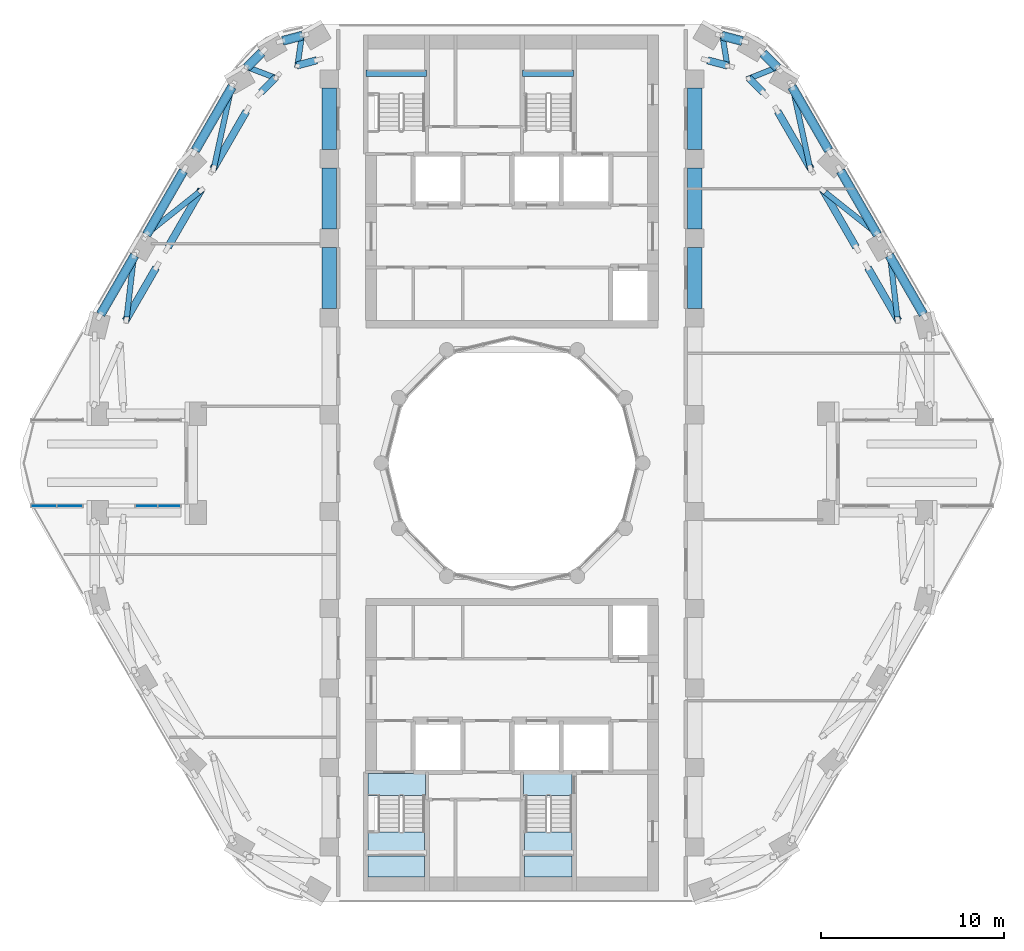
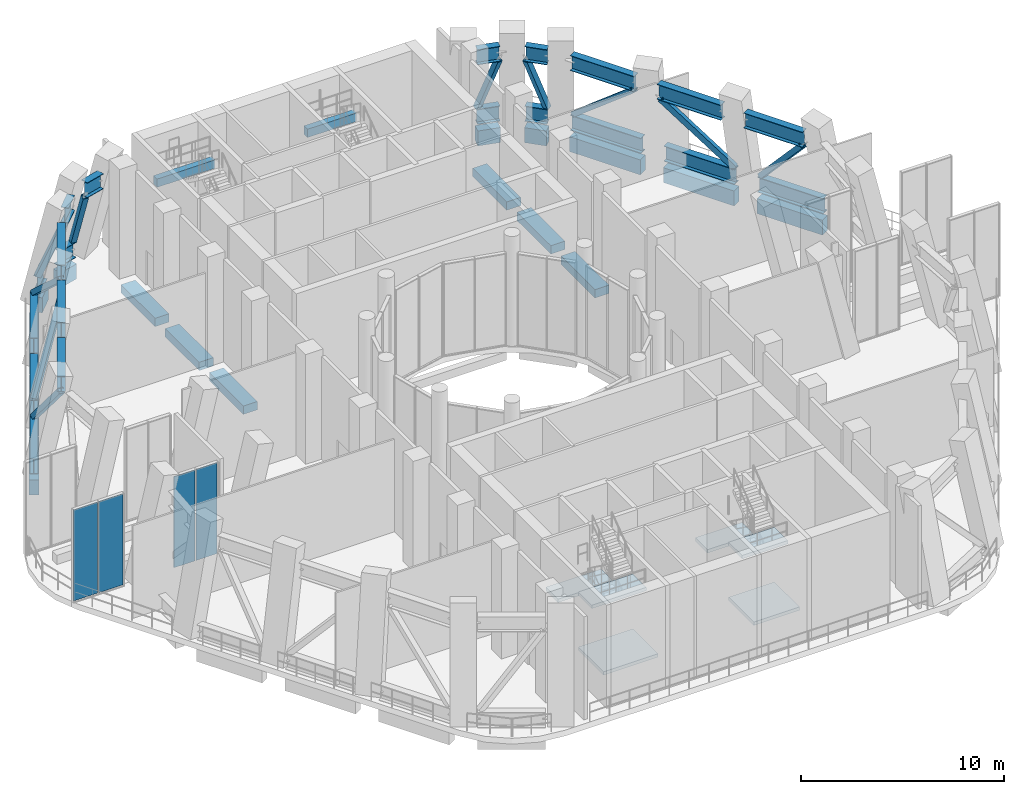
# One storey, part 6 of 19: 30 members, 18 beams, 6 slabs, 4 plates, 4 elements without a shape of their own.
"""IFC4 building model written with IfcOpenShell, lengths in metres."""

from ifc_helpers import new_model, si_unit, direction, frame, origin, origin_2d, place, context, subcontext, project, spatial, polyline, rectangle, hollow_rectangle, i_section, outline, extrude, material, layer, layer_set, material_profile, profile_set, type_object, element, aggregate, save


model = new_model("IFC4")

# Units and contexts
model_context = context("Model", 3, precision=1e-05, world=origin(), true_north=direction((0.0, 1.0)))
body_context = subcontext(model_context, "Body", "Model", "MODEL_VIEW")
ifc_project = project(units=[si_unit("LENGTHUNIT", "METRE"), si_unit("AREAUNIT", "SQUARE_METRE"), si_unit("VOLUMEUNIT", "CUBIC_METRE"), si_unit("PLANEANGLEUNIT", "RADIAN"), si_unit("MASSUNIT", "GRAM", prefix="KILO")], contexts=[model_context])

# Site, building, storey
site_placement = place(None, origin())
site = spatial("IfcSite", under=ifc_project, at=site_placement, CompositionType="ELEMENT")
building_placement = place(site_placement, origin())
building = spatial("IfcBuilding", under=site, at=building_placement, Name="Nakaniwa Court", CompositionType="ELEMENT")
storey_placement = place(building_placement, frame((0.0, 0.0, 170.10009765625)))
storey = spatial("IfcBuildingStorey", under=building, at=storey_placement, Name="S3", CompositionType="ELEMENT", Elevation=170.10009765625)

# Members
ifc_material_1 = material(Name="Steel Grade 350", Category="steel")
ifc_material_profile_1 = material_profile(ifc_material_1, i_section(OverallWidth=0.39990234375, OverallDepth=0.916015625, WebThickness=0.011962890625, FlangeThickness=0.028076171875, at=origin_2d()), Name="900WB257")
ifc_profile_set_1 = profile_set([ifc_material_profile_1], Name="Steel Grade 350")
member_type_1 = type_object("IfcMemberType", Name="BELT chord 900 WB257", PredefinedType="CHORD", material=ifc_profile_set_1)
member_1_placement = place(storey_placement, frame((68.5419921875, 103.38134765625, 0.4580078125), z_axis=(-0.966321172043, -0.257339061284, 0.0), x_axis=(0.257339061284, -0.966321172043, 0.0)))
element("IfcMember", 1, at=member_1_placement, inside=storey, type_object=member_type_1, Name="BELT CHORD BT-01-B", PredefinedType="CHORD", context=body_context, shape_type="SweptSolid", body=[
    extrude(i_section(OverallWidth=0.39990234375, OverallDepth=0.916015625, WebThickness=0.011962890625, FlangeThickness=0.028076171875, at=origin_2d()), origin(), (0.0, 0.0, 1.0), 1.126953125),
])
member_2_placement = place(storey_placement, frame((69.3212890625, 102.03125, 5.1318359375), z_axis=(-0.966360692331, -0.257190614753, 0.0), x_axis=(0.257190614753, -0.966360692331, 0.0)))
element("IfcMember", 2, at=member_2_placement, inside=storey, type_object=member_type_1, Name="BELT CHORD BT-01-T", PredefinedType="CHORD", context=body_context, shape_type="SweptSolid", body=[
    extrude(i_section(OverallWidth=0.39990234375, OverallDepth=0.916015625, WebThickness=0.011962890625, FlangeThickness=0.028076171875, at=origin_2d()), origin(), (0.0, 0.0, 1.0), 1.126708984375),
])
for number, where, z_axis, x_axis, name in (
    (3, (66.309814453125, 102.44580078125, 0.4580078125), (-0.706051557188, -0.708160432807, 0.0), (0.708160432807, -0.706051557188, 0.0), "BELT CHORD BT-02-B"),
    (4, (67.089111328125, 101.095703125, 5.1318359375), (-0.706051557188, -0.708160432807, 0.0), (0.708160432807, -0.706051557188, 0.0), "BELT CHORD BT-02-T"),
):
    element("IfcMember", number, at=place(storey_placement, frame(where, z_axis=z_axis, x_axis=x_axis)), inside=storey, type_object=member_type_1, Name=name, PredefinedType="CHORD", context=body_context, shape_type="SweptSolid", body=[
        extrude(i_section(OverallWidth=0.39990234375, OverallDepth=0.916015625, WebThickness=0.011962890625, FlangeThickness=0.028076171875, at=origin_2d()), origin(), (0.0, 0.0, 1.0), 1.15771484375),
    ])
member_3_placement = place(storey_placement, frame((64.6923828125, 100.586669921875, 0.4580078125), z_axis=(-0.499993669216, -0.866029058833, 0.0), x_axis=(0.866029058833, -0.499993669216, 0.0)))
element("IfcMember", 5, at=member_3_placement, inside=storey, type_object=member_type_1, Name="BELT CHORD BT-03-B", PredefinedType="CHORD", context=body_context, shape_type="SweptSolid", body=[
    extrude(i_section(OverallWidth=0.39990234375, OverallDepth=0.916015625, WebThickness=0.011962890625, FlangeThickness=0.028076171875, at=origin_2d()), origin(), (0.0, 0.0, 1.0), 4.02587890625),
])
member_4_placement = place(storey_placement, frame((65.471923828125, 99.236572265625, 5.1318359375), z_axis=(-0.499987858329, -0.866032413668, 0.0), x_axis=(0.866032413668, -0.499987858329, 0.0)))
element("IfcMember", 6, at=member_4_placement, inside=storey, type_object=member_type_1, Name="BELT CHORD BT-03-T", PredefinedType="CHORD", context=body_context, shape_type="SweptSolid", body=[
    extrude(i_section(OverallWidth=0.39990234375, OverallDepth=0.916015625, WebThickness=0.011962890625, FlangeThickness=0.028076171875, at=origin_2d()), origin(), (0.0, 0.0, 1.0), 3.63623046875),
])
member_5_placement = place(storey_placement, frame((62.029541015625, 95.97412109375, 0.4580078125), z_axis=(-0.499993669216, -0.866029058833, 0.0), x_axis=(0.866029058833, -0.499993669216, 0.0)))
element("IfcMember", 7, at=member_5_placement, inside=storey, type_object=member_type_1, Name="BELT CHORD BT-04-B", PredefinedType="CHORD", context=body_context, shape_type="SweptSolid", body=[
    extrude(i_section(OverallWidth=0.39990234375, OverallDepth=0.916015625, WebThickness=0.011962890625, FlangeThickness=0.028076171875, at=origin_2d()), origin(), (0.0, 0.0, 1.0), 4.02587890625),
])
member_6_placement = place(storey_placement, frame((63.00390625, 94.961669921875, 5.1318359375), z_axis=(-0.499987858329, -0.866032413668, 0.0), x_axis=(0.866032413668, -0.499987858329, 0.0)))
element("IfcMember", 8, at=member_6_placement, inside=storey, type_object=member_type_1, Name="BELT CHORD BT-04-T", PredefinedType="CHORD", context=body_context, shape_type="SweptSolid", body=[
    extrude(i_section(OverallWidth=0.39990234375, OverallDepth=0.916015625, WebThickness=0.011962890625, FlangeThickness=0.028076171875, at=origin_2d()), origin(), (0.0, 0.0, 1.0), 3.63623046875),
])
member_7_placement = place(storey_placement, frame((59.36669921875, 91.36181640625, 0.4580078125), z_axis=(-0.50001905207, -0.866014403787, 0.0), x_axis=(0.866014403787, -0.50001905207, 0.0)))
element("IfcMember", 9, at=member_7_placement, inside=storey, type_object=member_type_1, Name="BELT CHORD BT-05-B", PredefinedType="CHORD", context=body_context, shape_type="SweptSolid", body=[
    extrude(i_section(OverallWidth=0.39990234375, OverallDepth=0.916015625, WebThickness=0.011962890625, FlangeThickness=0.028076171875, at=origin_2d()), origin(), (0.0, 0.0, 1.0), 3.728759765625),
])
member_8_placement = place(storey_placement, frame((60.53564453125, 90.686767578125, 5.1318359375), z_axis=(-0.499992509511, -0.866029728377, 0.0), x_axis=(0.866029728377, -0.499992509511, 0.0)))
element("IfcMember", 10, at=member_8_placement, inside=storey, type_object=member_type_1, Name="BELT CHORD BT-05-T", PredefinedType="CHORD", context=body_context, shape_type="SweptSolid", body=[
    extrude(i_section(OverallWidth=0.39990234375, OverallDepth=0.916015625, WebThickness=0.011962890625, FlangeThickness=0.028076171875, at=origin_2d()), origin(), (0.0, 0.0, 1.0), 3.3388671875),
])
member_9_placement = place(storey_placement, frame((102.497802734375, 88.132568359375, 0.4580078125), z_axis=(-0.50001905207, 0.866014403787, 0.0), x_axis=(-0.866014403787, -0.50001905207, 0.0)))
element("IfcMember", 11, at=member_9_placement, inside=storey, type_object=member_type_1, Name="BELT CHORD BT-18-B", PredefinedType="CHORD", context=body_context, shape_type="SweptSolid", body=[
    extrude(i_section(OverallWidth=0.39990234375, OverallDepth=0.916015625, WebThickness=0.011962890625, FlangeThickness=0.028076171875, at=origin_2d()), origin(), (0.0, 0.0, 1.0), 3.728759765625),
])
member_10_placement = place(storey_placement, frame((101.1337890625, 87.795166015625, 5.1318359375), z_axis=(-0.499992509511, 0.866029728377, 0.0), x_axis=(-0.866029728377, -0.499992509511, 0.0)))
element("IfcMember", 12, at=member_10_placement, inside=storey, type_object=member_type_1, Name="BELT CHORD BT-18-T", PredefinedType="CHORD", context=body_context, shape_type="SweptSolid", body=[
    extrude(i_section(OverallWidth=0.39990234375, OverallDepth=0.916015625, WebThickness=0.011962890625, FlangeThickness=0.028076171875, at=origin_2d()), origin(), (0.0, 0.0, 1.0), 3.3388671875),
])
member_11_placement = place(storey_placement, frame((99.9833984375, 92.487548828125, 0.4580078125), z_axis=(-0.499993669216, 0.866029058833, 0.0), x_axis=(-0.866029058833, -0.499993669216, 0.0)))
element("IfcMember", 13, at=member_11_placement, inside=storey, type_object=member_type_1, Name="BELT CHORD BT-19-B", PredefinedType="CHORD", context=body_context, shape_type="SweptSolid", body=[
    extrude(i_section(OverallWidth=0.39990234375, OverallDepth=0.916015625, WebThickness=0.011962890625, FlangeThickness=0.028076171875, at=origin_2d()), origin(), (0.0, 0.0, 1.0), 4.02587890625),
])
member_12_placement = place(storey_placement, frame((98.814208984375, 91.8125, 5.1318359375), z_axis=(-0.499987858329, 0.866032413668, 0.0), x_axis=(-0.866032413668, -0.499987858329, 0.0)))
element("IfcMember", 14, at=member_12_placement, inside=storey, type_object=member_type_1, Name="BELT CHORD BT-19-T", PredefinedType="CHORD", context=body_context, shape_type="SweptSolid", body=[
    extrude(i_section(OverallWidth=0.39990234375, OverallDepth=0.916015625, WebThickness=0.011962890625, FlangeThickness=0.028076171875, at=origin_2d()), origin(), (0.0, 0.0, 1.0), 3.63623046875),
])
member_13_placement = place(storey_placement, frame((97.320556640625, 97.10009765625, 0.4580078125), z_axis=(-0.500018573463, 0.866014680125, 0.0), x_axis=(-0.866014680125, -0.500018573463, 0.0)))
element("IfcMember", 15, at=member_13_placement, inside=storey, type_object=member_type_1, Name="BELT CHORD BT-20-B", PredefinedType="CHORD", context=body_context, shape_type="SweptSolid", body=[
    extrude(i_section(OverallWidth=0.39990234375, OverallDepth=0.916015625, WebThickness=0.011962890625, FlangeThickness=0.028076171875, at=origin_2d()), origin(), (0.0, 0.0, 1.0), 4.020263671875),
])
member_14_placement = place(storey_placement, frame((96.34619140625, 96.08740234375, 5.1318359375), z_axis=(-0.499964992784, 0.866045614266, 0.0), x_axis=(-0.866045614266, -0.499964992784, 0.0)))
element("IfcMember", 16, at=member_14_placement, inside=storey, type_object=member_type_1, Name="BELT CHORD BT-20-T", PredefinedType="CHORD", context=body_context, shape_type="SweptSolid", body=[
    extrude(i_section(OverallWidth=0.39990234375, OverallDepth=0.916015625, WebThickness=0.011962890625, FlangeThickness=0.028076171875, at=origin_2d()), origin(), (0.0, 0.0, 1.0), 3.630615234375),
])
for number, where, z_axis, x_axis, name in (
    (17, (94.519775390625, 101.61376953125, 0.4580078125), (-0.706022429805, 0.708189472254, 0.0), (-0.708189472254, -0.706022429805, 0.0), "BELT CHORD BT-21-B"),
    (18, (93.740234375, 100.263671875, 5.1318359375), (-0.706022429805, 0.708189472254, 0.0), (-0.708189472254, -0.706022429805, 0.0), "BELT CHORD BT-21-T"),
):
    element("IfcMember", number, at=place(storey_placement, frame(where, z_axis=z_axis, x_axis=x_axis)), inside=storey, type_object=member_type_1, Name=name, PredefinedType="CHORD", context=body_context, shape_type="SweptSolid", body=[
        extrude(i_section(OverallWidth=0.39990234375, OverallDepth=0.916015625, WebThickness=0.011962890625, FlangeThickness=0.028076171875, at=origin_2d()), origin(), (0.0, 0.0, 1.0), 1.126708984375),
    ])
for number, where, z_axis, x_axis, name in (
    (19, (92.593505859375, 103.078857421875, 0.4580078125), (-0.966294404875, 0.257439552335, 0.0), (-0.257439552335, -0.966294404875, 0.0), "BELT CHORD BT-22-B"),
    (20, (91.814208984375, 101.72900390625, 5.1318359375), (-0.966346837526, 0.257242666764, 0.0), (-0.257242666764, -0.966346837526, 0.0), "BELT CHORD BT-22-T"),
):
    element("IfcMember", number, at=place(storey_placement, frame(where, z_axis=z_axis, x_axis=x_axis)), inside=storey, type_object=member_type_1, Name=name, PredefinedType="CHORD", context=body_context, shape_type="SweptSolid", body=[
        extrude(i_section(OverallWidth=0.39990234375, OverallDepth=0.916015625, WebThickness=0.011962890625, FlangeThickness=0.028076171875, at=origin_2d()), origin(), (0.0, 0.0, 1.0), 1.157958984375),
    ])
ifc_material_profile_2 = material_profile(ifc_material_1, hollow_rectangle(XDim=0.300048828125, YDim=0.300048828125, WallThickness=0.010009765625, at=origin_2d()), Name="BELT diagonal 300x300x10 SHS")
ifc_profile_set_2 = profile_set([ifc_material_profile_2], Name="Steel Grade 350")
member_type_2 = type_object("IfcMemberType", Name="BELT diagonal 300x300x10 SHS", PredefinedType="BRACE", material=ifc_profile_set_2)
member_15_placement = place(storey_placement, frame((68.503173828125, 103.37109375, 0.916015625), z_axis=(-0.056649835595, -0.39511920032, 0.916881461076), x_axis=(0.989877733725, -0.141922768698, 0.0)))
element("IfcMember", 21, at=member_15_placement, inside=storey, type_object=member_type_2, Name="BELT DIAGONAL BT-01-D", PredefinedType="BRACE", context=body_context, shape_type="SweptSolid", body=[
    extrude(hollow_rectangle(XDim=0.300048828125, YDim=0.300048828125, WallThickness=0.010009765625, at=origin_2d()), origin(), (0.0, 0.0, 1.0), 4.098388671875),
])
member_16_placement = place(storey_placement, frame((67.060791015625, 101.0673828125, 4.673828125), z_axis=(-0.375365279236, 0.14303029502, -0.915774667618), x_axis=(-0.356069237491, -0.93445957543, 0.0)))
element("IfcMember", 22, at=member_16_placement, inside=storey, type_object=member_type_2, Name="BELT DIAGONAL BT-02-D", PredefinedType="BRACE", context=body_context, shape_type="SweptSolid", body=[
    extrude(hollow_rectangle(XDim=0.300048828125, YDim=0.300048828125, WallThickness=0.010009765625, at=origin_2d()), origin(), (0.0, 0.0, 1.0), 4.103515625),
])
member_17_placement = place(storey_placement, frame((64.642578125, 100.5, 0.916015625), z_axis=(-0.161665876058, -0.745008493594, 0.647168053129), x_axis=(0.977255938562, -0.212063270149, 0.0)))
element("IfcMember", 23, at=member_17_placement, inside=storey, type_object=member_type_2, Name="BELT DIAGONAL BT-03-D", PredefinedType="BRACE", context=body_context, shape_type="SweptSolid", body=[
    extrude(hollow_rectangle(XDim=0.300048828125, YDim=0.300048828125, WallThickness=0.010009765625, at=origin_2d()), origin(), (0.0, 0.0, 1.0), 5.806640625),
])
member_18_placement = place(storey_placement, frame((62.953857421875, 94.875, 4.673828125), z_axis=(-0.548076081022, -0.436755368472, -0.713342384499), x_axis=(0.623210024771, -0.78205451538, 0.0)))
element("IfcMember", 24, at=member_18_placement, inside=storey, type_object=member_type_2, Name="BELT DIAGONAL BT-04-D", PredefinedType="BRACE", context=body_context, shape_type="SweptSolid", body=[
    extrude(hollow_rectangle(XDim=0.300048828125, YDim=0.300048828125, WallThickness=0.010009765625, at=origin_2d()), origin(), (0.0, 0.0, 1.0), 5.267822265625),
])
for number, where, z_axis, x_axis, name in (
    (25, (59.316650390625, 91.275146484375, 0.916015625), (-0.078878138729, -0.668132924029, 0.739849062349), (0.993103217199, -0.117243336649, 0.0), "BELT DIAGONAL BT-05-D"),
    (26, (101.083984375, 87.881591796875, 4.673828125), (-0.078878138729, 0.668132924029, -0.739849062349), (-0.993103217199, -0.117243336649, 0.0), "BELT DIAGONAL BT-18-D"),
):
    element("IfcMember", number, at=place(storey_placement, frame(where, z_axis=z_axis, x_axis=x_axis)), inside=storey, type_object=member_type_2, Name=name, PredefinedType="BRACE", context=body_context, shape_type="SweptSolid", body=[
        extrude(hollow_rectangle(XDim=0.300048828125, YDim=0.300048828125, WallThickness=0.010009765625, at=origin_2d()), origin(), (0.0, 0.0, 1.0), 5.0791015625),
    ])
member_19_placement = place(storey_placement, frame((99.933349609375, 92.57421875, 0.916015625), z_axis=(-0.548076081022, 0.436755368472, 0.713342384499), x_axis=(-0.623210024771, -0.78205451538, 0.0)))
element("IfcMember", 27, at=member_19_placement, inside=storey, type_object=member_type_2, Name="BELT DIAGONAL BT-19-D", PredefinedType="BRACE", context=body_context, shape_type="SweptSolid", body=[
    extrude(hollow_rectangle(XDim=0.300048828125, YDim=0.300048828125, WallThickness=0.010009765625, at=origin_2d()), origin(), (0.0, 0.0, 1.0), 5.267822265625),
])
member_20_placement = place(storey_placement, frame((96.296142578125, 96.174072265625, 4.673828125), z_axis=(-0.16127548225, 0.744694693541, -0.647626460421), x_axis=(-0.977343515281, -0.2116592855, 0.0)))
element("IfcMember", 28, at=member_20_placement, inside=storey, type_object=member_type_2, Name="BELT DIAGONAL BT-20-D", PredefinedType="BRACE", context=body_context, shape_type="SweptSolid", body=[
    extrude(hollow_rectangle(XDim=0.300048828125, YDim=0.300048828125, WallThickness=0.010009765625, at=origin_2d()), origin(), (0.0, 0.0, 1.0), 5.802490234375),
])
member_21_placement = place(storey_placement, frame((94.491455078125, 101.64208984375, 0.916015625), z_axis=(-0.370461105225, -0.148565685228, 0.916889746201), x_axis=(0.372213944169, -0.92814696022, 0.0)))
element("IfcMember", 29, at=member_21_placement, inside=storey, type_object=member_type_2, Name="BELT DIAGONAL BT-21-D", PredefinedType="BRACE", context=body_context, shape_type="SweptSolid", body=[
    extrude(hollow_rectangle(XDim=0.300048828125, YDim=0.300048828125, WallThickness=0.010009765625, at=origin_2d()), origin(), (0.0, 0.0, 1.0), 4.098388671875),
])
member_22_placement = place(storey_placement, frame((91.775634765625, 101.7392578125, 4.673828125), z_axis=(-0.063898841295, 0.396601188148, -0.915764399636), x_axis=(-0.987268143911, -0.159064804464, 0.0)))
element("IfcMember", 30, at=member_22_placement, inside=storey, type_object=member_type_2, Name="BELT DIAGONAL BT-22-D", PredefinedType="BRACE", context=body_context, shape_type="SweptSolid", body=[
    extrude(hollow_rectangle(XDim=0.300048828125, YDim=0.300048828125, WallThickness=0.010009765625, at=origin_2d()), origin(), (0.0, 0.0, 1.0), 4.103515625),
])

# Beams
ifc_material_2 = material(Name="Concrete C80/100", Category="concrete")
ifc_material_profile_3 = material_profile(ifc_material_2, rectangle(XDim=0.35009765625, YDim=0.5, at=origin_2d()), Name="Concrete C80/100 RC 350x500 landing ledge beam")
ifc_profile_set_3 = profile_set([ifc_material_profile_3], Name="Concrete C80/100")
beam_type_1 = type_object("IfcBeamType", Name="Concrete C80/100 RC 350x500 landing ledge beam", PredefinedType="BEAM", material=ifc_profile_set_3)
beam_1_placement = place(storey_placement, frame((72.02490234375, 101.324951171875, 4.5), z_axis=(1.0, 0.0, 0.0), x_axis=(0.0, 1.0, 0.0)))
element("IfcBeam", 31, at=beam_1_placement, inside=storey, type_object=beam_type_1, Name="LANDING LEDGE BEAM", PredefinedType="BEAM", context=body_context, shape_type="SweptSolid", body=[
    extrude(rectangle(XDim=0.35009765625, YDim=0.5, at=origin_2d()), origin(), (0.0, 0.0, 1.0), 3.300048828125),
])
beam_2_placement = place(storey_placement, frame((80.574951171875, 101.324951171875, 4.5), z_axis=(1.0, 0.0, 0.0), x_axis=(0.0, 1.0, 0.0)))
element("IfcBeam", 32, at=beam_2_placement, inside=storey, type_object=beam_type_1, Name="LANDING LEDGE BEAM", PredefinedType="BEAM", context=body_context, shape_type="SweptSolid", body=[
    extrude(rectangle(XDim=0.35009765625, YDim=0.5, at=origin_2d()), origin(), (0.0, 0.0, 1.0), 2.800048828125),
])
ifc_material_profile_4 = material_profile(ifc_material_2, rectangle(XDim=0.5, YDim=0.89990234375, at=origin_2d()), Name="Concrete C80/100 RC 500x900 spandrel beam")
ifc_profile_set_4 = profile_set([ifc_material_profile_4], Name="Concrete C80/100")
beam_type_2 = type_object("IfcBeamType", Name="Concrete C80/100 RC 500x900 spandrel beam", PredefinedType="BEAM", material=ifc_profile_set_4)
beam_3_placement = place(storey_placement, frame((68.5419921875, 103.38134765625, -0.800048828125), z_axis=(-0.966321172043, -0.257339061284, 0.0), x_axis=(0.257339061284, -0.966321172043, 0.0)))
element("IfcBeam", 33, at=beam_3_placement, inside=storey, type_object=beam_type_2, Name="SPANDREL BEAM", PredefinedType="BEAM", context=body_context, shape_type="SweptSolid", body=[
    extrude(rectangle(XDim=0.5, YDim=0.89990234375, at=origin_2d()), origin(), (0.0, 0.0, 1.0), 1.126953125),
])
beam_4_placement = place(storey_placement, frame((66.309814453125, 102.44580078125, -0.800048828125), z_axis=(-0.706051557188, -0.708160432807, 0.0), x_axis=(0.708160432807, -0.706051557188, 0.0)))
element("IfcBeam", 34, at=beam_4_placement, inside=storey, type_object=beam_type_2, Name="SPANDREL BEAM", PredefinedType="BEAM", context=body_context, shape_type="SweptSolid", body=[
    extrude(rectangle(XDim=0.5, YDim=0.89990234375, at=origin_2d()), origin(), (0.0, 0.0, 1.0), 1.15771484375),
])
for number, where, z_axis, x_axis, name in (
    (35, (64.6923828125, 100.586669921875, -0.800048828125), (-0.499993669216, -0.866029058833, 0.0), (0.866029058833, -0.499993669216, 0.0), "SPANDREL BEAM"),
    (36, (62.029541015625, 95.97412109375, -0.800048828125), (-0.499993669216, -0.866029058833, 0.0), (0.866029058833, -0.499993669216, 0.0), "SPANDREL BEAM"),
):
    element("IfcBeam", number, at=place(storey_placement, frame(where, z_axis=z_axis, x_axis=x_axis)), inside=storey, type_object=beam_type_2, Name=name, PredefinedType="BEAM", context=body_context, shape_type="SweptSolid", body=[
        extrude(rectangle(XDim=0.5, YDim=0.89990234375, at=origin_2d()), origin(), (0.0, 0.0, 1.0), 4.02587890625),
    ])
for number, where, z_axis, x_axis, name in (
    (37, (59.36669921875, 91.36181640625, -0.800048828125), (-0.50001905207, -0.866014403787, 0.0), (0.866014403787, -0.50001905207, 0.0), "SPANDREL BEAM"),
    (38, (102.497802734375, 88.132568359375, -0.800048828125), (-0.50001905207, 0.866014403787, 0.0), (-0.866014403787, -0.50001905207, 0.0), "SPANDREL BEAM"),
):
    element("IfcBeam", number, at=place(storey_placement, frame(where, z_axis=z_axis, x_axis=x_axis)), inside=storey, type_object=beam_type_2, Name=name, PredefinedType="BEAM", context=body_context, shape_type="SweptSolid", body=[
        extrude(rectangle(XDim=0.5, YDim=0.89990234375, at=origin_2d()), origin(), (0.0, 0.0, 1.0), 3.728759765625),
    ])
beam_5_placement = place(storey_placement, frame((99.9833984375, 92.487548828125, -0.800048828125), z_axis=(-0.499993669216, 0.866029058833, 0.0), x_axis=(-0.866029058833, -0.499993669216, 0.0)))
element("IfcBeam", 39, at=beam_5_placement, inside=storey, type_object=beam_type_2, Name="SPANDREL BEAM", PredefinedType="BEAM", context=body_context, shape_type="SweptSolid", body=[
    extrude(rectangle(XDim=0.5, YDim=0.89990234375, at=origin_2d()), origin(), (0.0, 0.0, 1.0), 4.02587890625),
])
beam_6_placement = place(storey_placement, frame((97.320556640625, 97.10009765625, -0.800048828125), z_axis=(-0.500018573463, 0.866014680125, 0.0), x_axis=(-0.866014680125, -0.500018573463, 0.0)))
element("IfcBeam", 40, at=beam_6_placement, inside=storey, type_object=beam_type_2, Name="SPANDREL BEAM", PredefinedType="BEAM", context=body_context, shape_type="SweptSolid", body=[
    extrude(rectangle(XDim=0.5, YDim=0.89990234375, at=origin_2d()), origin(), (0.0, 0.0, 1.0), 4.020263671875),
])
beam_7_placement = place(storey_placement, frame((94.519775390625, 101.61376953125, -0.800048828125), z_axis=(-0.706022429805, 0.708189472254, 0.0), x_axis=(-0.708189472254, -0.706022429805, 0.0)))
element("IfcBeam", 41, at=beam_7_placement, inside=storey, type_object=beam_type_2, Name="SPANDREL BEAM", PredefinedType="BEAM", context=body_context, shape_type="SweptSolid", body=[
    extrude(rectangle(XDim=0.5, YDim=0.89990234375, at=origin_2d()), origin(), (0.0, 0.0, 1.0), 1.126708984375),
])
beam_8_placement = place(storey_placement, frame((92.593505859375, 103.078857421875, -0.800048828125), z_axis=(-0.966294404875, 0.257439552335, 0.0), x_axis=(-0.257439552335, -0.966294404875, 0.0)))
element("IfcBeam", 42, at=beam_8_placement, inside=storey, type_object=beam_type_2, Name="SPANDREL BEAM", PredefinedType="BEAM", context=body_context, shape_type="SweptSolid", body=[
    extrude(rectangle(XDim=0.5, YDim=0.89990234375, at=origin_2d()), origin(), (0.0, 0.0, 1.0), 1.157958984375),
])
ifc_material_profile_5 = material_profile(ifc_material_2, rectangle(XDim=0.800048828125, YDim=0.5, at=origin_2d()), Name="Concrete C80/100 RC 800x500 ring beam")
ifc_profile_set_5 = profile_set([ifc_material_profile_5], Name="Concrete C80/100")
beam_type_3 = type_object("IfcBeamType", Name="Concrete C80/100 RC 800x500 ring beam", PredefinedType="BEAM", material=ifc_profile_set_5)
beam_9_placement = place(storey_placement, frame((90.0, 88.449951171875, -0.60009765625), z_axis=(0.0, 1.0, 0.0), x_axis=(-1.0, 0.0, 0.0)))
element("IfcBeam", 43, at=beam_9_placement, inside=storey, type_object=beam_type_3, Name="RING BEAM", PredefinedType="BEAM", context=body_context, shape_type="SweptSolid", body=[
    extrude(rectangle(XDim=0.800048828125, YDim=0.5, at=origin_2d()), origin(), (0.0, 0.0, 1.0), 3.35009765625),
])
beam_10_placement = place(storey_placement, frame((90.0, 92.800048828125, -0.60009765625), z_axis=(0.0, 1.0, 0.0), x_axis=(-1.0, 0.0, 0.0)))
element("IfcBeam", 44, at=beam_10_placement, inside=storey, type_object=beam_type_3, Name="RING BEAM", PredefinedType="BEAM", context=body_context, shape_type="SweptSolid", body=[
    extrude(rectangle(XDim=0.800048828125, YDim=0.5, at=origin_2d()), origin(), (0.0, 0.0, 1.0), 3.349853515625),
])
for number, where, z_axis, x_axis, name in (
    (45, (90.0, 97.14990234375, -0.60009765625), (0.0, 1.0, 0.0), (-1.0, 0.0, 0.0), "RING BEAM"),
    (46, (70.0, 100.5, -0.60009765625), (0.0, -1.0, 0.0), (1.0, 0.0, 0.0), "RING BEAM"),
):
    element("IfcBeam", number, at=place(storey_placement, frame(where, z_axis=z_axis, x_axis=x_axis)), inside=storey, type_object=beam_type_3, Name=name, PredefinedType="BEAM", context=body_context, shape_type="SweptSolid", body=[
        extrude(rectangle(XDim=0.800048828125, YDim=0.5, at=origin_2d()), origin(), (0.0, 0.0, 1.0), 3.35009765625),
    ])
beam_11_placement = place(storey_placement, frame((70.0, 96.14990234375, -0.60009765625), z_axis=(0.0, -1.0, 0.0), x_axis=(1.0, 0.0, 0.0)))
element("IfcBeam", 47, at=beam_11_placement, inside=storey, type_object=beam_type_3, Name="RING BEAM", PredefinedType="BEAM", context=body_context, shape_type="SweptSolid", body=[
    extrude(rectangle(XDim=0.800048828125, YDim=0.5, at=origin_2d()), origin(), (0.0, 0.0, 1.0), 3.349853515625),
])
beam_12_placement = place(storey_placement, frame((70.0, 91.800048828125, -0.60009765625), z_axis=(0.0, -1.0, 0.0), x_axis=(1.0, 0.0, 0.0)))
element("IfcBeam", 48, at=beam_12_placement, inside=storey, type_object=beam_type_3, Name="RING BEAM", PredefinedType="BEAM", context=body_context, shape_type="SweptSolid", body=[
    extrude(rectangle(XDim=0.800048828125, YDim=0.5, at=origin_2d()), origin(), (0.0, 0.0, 1.0), 3.35009765625),
])

# Curtain wall, plates
ifc_material_3 = material(Name="Black anodised aluminium frame with dark low-E laminated double glazing", Category="aluminium")
ifc_layer_1 = layer(ifc_material_3, 0.199951171875)
ifc_layer_set_1 = layer_set([ifc_layer_1], Name="Black anodised aluminium frame with dark low-E laminated double glazing")
curtain_wall_type = type_object("IfcCurtainWallType", Name="Amenity and sky level curtain wall", PredefinedType="NOTDEFINED", material=ifc_layer_set_1)
curtain_wall_1_placement = place(storey_placement, origin())
curtain_wall_1 = element("IfcCurtainWall", 49, at=curtain_wall_1_placement, inside=storey, type_object=curtain_wall_type, Name="S3 curtain wall CW3 18", PredefinedType="NOTDEFINED")
ifc_material_4 = material(Name="Dark toughened glass", Category="glass")
ifc_layer_2 = layer(ifc_material_4, 0.006, Name="Outer pane")
ifc_material_5 = material(Name="Argon filled cavity")
ifc_layer_3 = layer(ifc_material_5, 0.016, Name="Cavity")
ifc_material_6 = material(Name="Dark laminated safety glass", Category="glass")
ifc_layer_4 = layer(ifc_material_6, 0.006, Name="Inner pane")
ifc_layer_set_2 = layer_set([ifc_layer_2, ifc_layer_3, ifc_layer_4], Name="Dark low-E laminated double glazing")
plate_type = type_object("IfcPlateType", Name="Amenity and sky level curtain wall glass panel", PredefinedType="CURTAIN_PANEL", material=ifc_layer_set_2)
plate_1_placement = place(storey_placement, frame((61.266357421875, 77.64990234375, 0.054931640625), z_axis=(0.0, 0.0, 1.0), x_axis=(-1.0, 0.0, 0.0)))
plate_1 = element("IfcPlate", 50, at=plate_1_placement, type_object=plate_type, Name="CW3 panel 1.1", PredefinedType="CURTAIN_PANEL", context=body_context, shape_type="SweptSolid", body=[
    extrude(rectangle(XDim=1.199951171875, YDim=0.028076171875, at=origin_2d()), origin(), (0.0, 0.0, 1.0), 5.47998046875),
])
plate_2_placement = place(storey_placement, frame((60.01123046875, 77.64990234375, 0.054931640625), z_axis=(0.0, 0.0, 1.0), x_axis=(-1.0, 0.0, 0.0)))
plate_2 = element("IfcPlate", 51, at=plate_2_placement, type_object=plate_type, Name="CW3 panel 2.1", PredefinedType="CURTAIN_PANEL", context=body_context, shape_type="SweptSolid", body=[
    extrude(rectangle(XDim=1.199951171875, YDim=0.028076171875, at=origin_2d()), origin(), (0.0, 0.0, 1.0), 5.47998046875),
])
aggregate(curtain_wall_1, [plate_1, plate_2])

curtain_wall_2_placement = place(storey_placement, origin())
curtain_wall_2 = element("IfcCurtainWall", 52, at=curtain_wall_2_placement, inside=storey, type_object=curtain_wall_type, Name="S3 curtain wall CW3 19", PredefinedType="NOTDEFINED")
plate_3_placement = place(storey_placement, frame((55.814697265625, 77.64990234375, 0.054931640625), z_axis=(0.0, 0.0, 1.0), x_axis=(-1.0, 0.0, 0.0)))
plate_3 = element("IfcPlate", 53, at=plate_3_placement, type_object=plate_type, Name="CW3 panel 1.1", PredefinedType="CURTAIN_PANEL", context=body_context, shape_type="SweptSolid", body=[
    extrude(rectangle(XDim=1.374267578125, YDim=0.028076171875, at=origin_2d()), origin(), (0.0, 0.0, 1.0), 5.47998046875),
])
plate_4_placement = place(storey_placement, frame((54.385498046875, 77.64990234375, 0.054931640625), z_axis=(0.0, 0.0, 1.0), x_axis=(-1.0, 0.0, 0.0)))
plate_4 = element("IfcPlate", 54, at=plate_4_placement, type_object=plate_type, Name="CW3 panel 2.1", PredefinedType="CURTAIN_PANEL", context=body_context, shape_type="SweptSolid", body=[
    extrude(rectangle(XDim=1.374267578125, YDim=0.028076171875, at=origin_2d()), origin(), (0.0, 0.0, 1.0), 5.47998046875),
])
aggregate(curtain_wall_2, [plate_3, plate_4])

# Stair, slabs
stair_type = type_object("IfcStairType", Name="Dog leg stair 1200 wide 36 risers", PredefinedType="HALF_TURN_STAIR", material=ifc_material_2)
stair_1_placement = place(storey_placement, origin())
stair_1 = element("IfcStair", 55, at=stair_1_placement, inside=storey, type_object=stair_type, Name="S3 Stair ST3", PredefinedType="HALF_TURN_STAIR")
ifc_layer_5 = layer(ifc_material_2, 0.199951171875)
ifc_layer_set_3 = layer_set([ifc_layer_5], Name="Concrete C80/100")
slab_type = type_object("IfcSlabType", Name="Stair landing concrete", PredefinedType="LANDING", material=ifc_layer_set_3)
slab_1_placement = place(storey_placement, frame((0.0, 0.0, 1.449951171875)))
slab_1 = element("IfcSlab", 56, at=slab_1_placement, type_object=slab_type, Name="ST3 landing 1", PredefinedType="LANDING", context=body_context, shape_type="SweptSolid", body=[
    extrude(outline(polyline([(75.22509765625, 57.35009765625), (75.22509765625, 59.824951171875), (72.125, 59.824951171875), (72.125, 57.35009765625), (75.22509765625, 57.35009765625)])), origin(), (0.0, 0.0, 1.0), 0.199951171875),
])
slab_2_placement = place(storey_placement, frame((0.0, 0.0, 3.099853515625)))
slab_2 = element("IfcSlab", 57, at=slab_2_placement, type_object=slab_type, Name="ST3 landing 2", PredefinedType="LANDING", context=body_context, shape_type="SweptSolid", body=[
    extrude(outline(polyline([(75.27490234375, 61.824951171875), (75.27490234375, 63.02490234375), (72.125, 63.02490234375), (72.125, 61.824951171875), (75.27490234375, 61.824951171875)])), origin(), (0.0, 0.0, 1.0), 0.199951171875),
])
slab_3_placement = place(storey_placement, frame((0.0, 0.0, 4.75)))
slab_3 = element("IfcSlab", 58, at=slab_3_placement, type_object=slab_type, Name="ST3 landing 3", PredefinedType="LANDING", context=body_context, shape_type="SweptSolid", body=[
    extrude(outline(polyline([(75.22509765625, 58.5), (75.22509765625, 59.824951171875), (72.125, 59.824951171875), (72.125, 58.5), (75.22509765625, 58.5)])), origin(), (0.0, 0.0, 1.0), 0.199951171875),
])
aggregate(stair_1, [slab_1, slab_2, slab_3])

stair_2_placement = place(storey_placement, origin())
stair_2 = element("IfcStair", 59, at=stair_2_placement, inside=storey, type_object=stair_type, Name="S3 Stair ST4", PredefinedType="HALF_TURN_STAIR")
slab_4_placement = place(storey_placement, frame((0.0, 0.0, 1.449951171875)))
slab_4 = element("IfcSlab", 60, at=slab_4_placement, type_object=slab_type, Name="ST4 landing 1", PredefinedType="LANDING", context=body_context, shape_type="SweptSolid", body=[
    extrude(outline(polyline([(83.27490234375, 57.35009765625), (83.27490234375, 59.824951171875), (80.675048828125, 59.824951171875), (80.675048828125, 57.35009765625), (83.27490234375, 57.35009765625)])), origin(), (0.0, 0.0, 1.0), 0.199951171875),
])
slab_5_placement = place(storey_placement, frame((0.0, 0.0, 3.099853515625)))
slab_5 = element("IfcSlab", 61, at=slab_5_placement, type_object=slab_type, Name="ST4 landing 2", PredefinedType="LANDING", context=body_context, shape_type="SweptSolid", body=[
    extrude(outline(polyline([(83.27490234375, 61.824951171875), (83.27490234375, 63.02490234375), (80.625, 63.02490234375), (80.625, 61.824951171875), (83.27490234375, 61.824951171875)])), origin(), (0.0, 0.0, 1.0), 0.199951171875),
])
slab_6_placement = place(storey_placement, frame((0.0, 0.0, 4.75)))
slab_6 = element("IfcSlab", 62, at=slab_6_placement, type_object=slab_type, Name="ST4 landing 3", PredefinedType="LANDING", context=body_context, shape_type="SweptSolid", body=[
    extrude(outline(polyline([(83.27490234375, 58.5), (83.27490234375, 59.824951171875), (80.675048828125, 59.824951171875), (80.675048828125, 58.5), (83.27490234375, 58.5)])), origin(), (0.0, 0.0, 1.0), 0.199951171875),
])
aggregate(stair_2, [slab_4, slab_5, slab_6])

save(model, "model.ifc")
